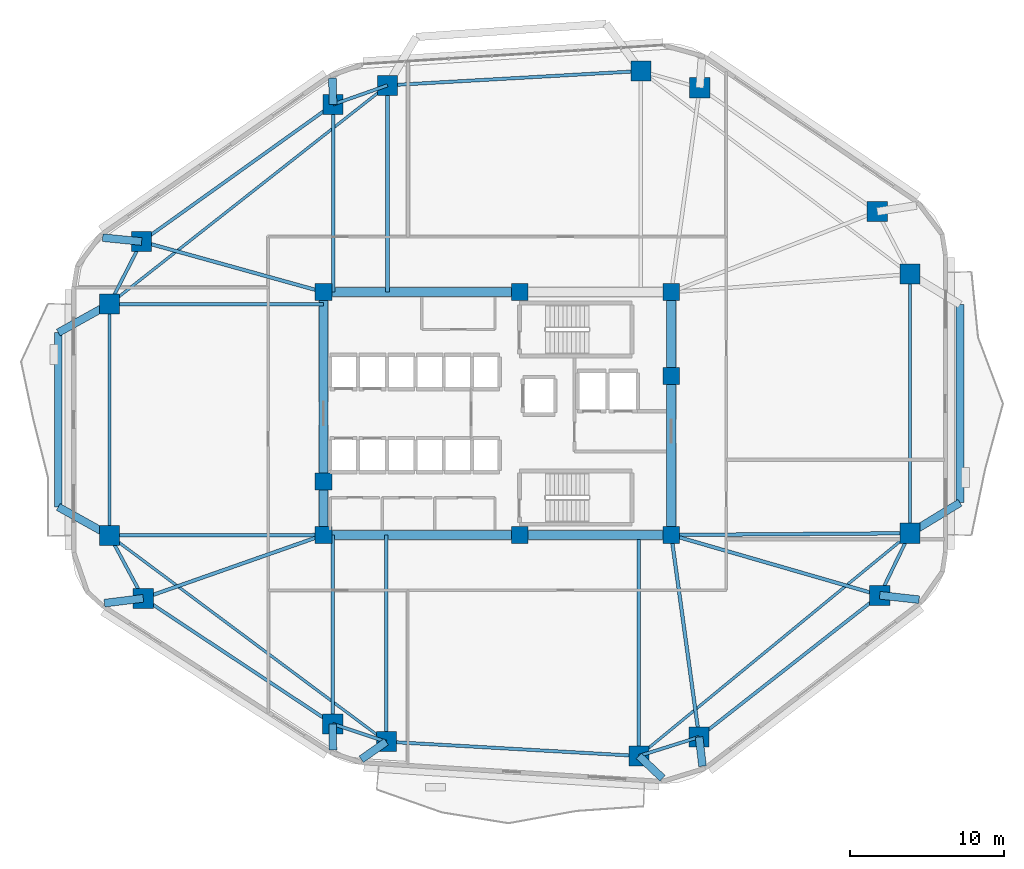
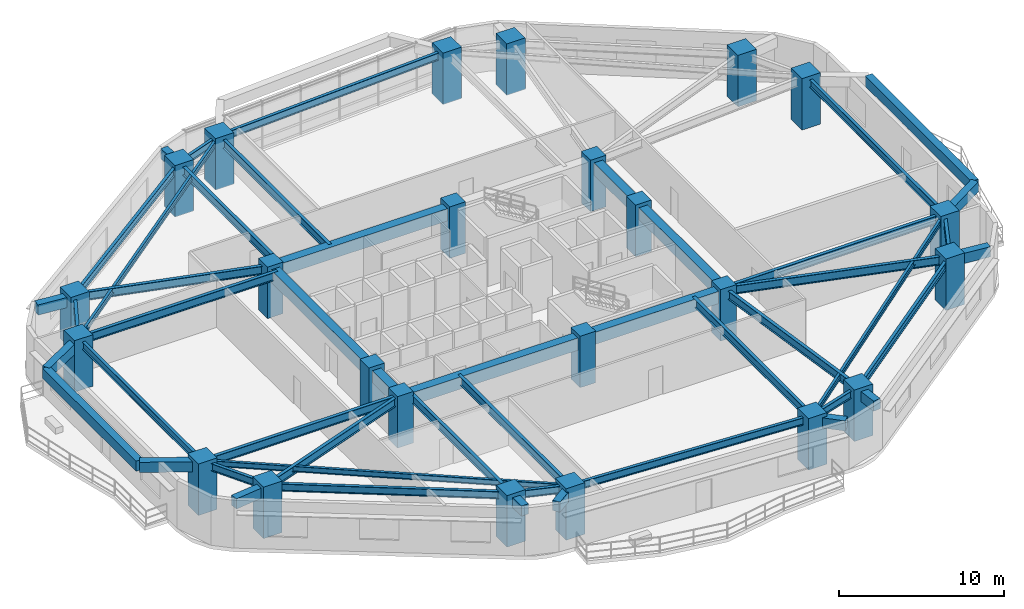
# One storey, part 1 of 11: 48 beams, 24 columns.
"""IFC4 building model written with IfcOpenShell, lengths in metres."""

from ifc_helpers import new_model, si_unit, direction, frame, origin, origin_2d, place, context, subcontext, project, spatial, rectangle, i_section, extrude, material, material_profile, profile_set, type_object, element, save


model = new_model("IFC4")

# Units and contexts
model_context = context("Model", 3, precision=1e-05, world=origin(), true_north=direction((0.0, 1.0)))
body_context = subcontext(model_context, "Body", "Model", "MODEL_VIEW")
ifc_project = project(units=[si_unit("LENGTHUNIT", "METRE"), si_unit("AREAUNIT", "SQUARE_METRE"), si_unit("VOLUMEUNIT", "CUBIC_METRE"), si_unit("PLANEANGLEUNIT", "RADIAN"), si_unit("MASSUNIT", "GRAM", prefix="KILO")], contexts=[model_context])

# Site, building, storey
site_placement = place(None, origin())
site = spatial("IfcSite", under=ifc_project, at=site_placement, CompositionType="ELEMENT")
building_placement = place(site_placement, origin())
building = spatial("IfcBuilding", under=site, at=building_placement, Name="Zulverin Broadcast Headquarters", CompositionType="ELEMENT")
storey_placement = place(building_placement, frame((0.0, 0.0, 78.199951171875)))
storey = spatial("IfcBuildingStorey", under=building, at=storey_placement, Name="L19", CompositionType="ELEMENT", Elevation=78.199951171875)

# Columns
ifc_material_1 = material(Name="Concrete C60/75", Category="concrete")
ifc_material_profile_1 = material_profile(ifc_material_1, rectangle(XDim=1.300048828125, YDim=1.300048828125, at=origin_2d()), Name="Concrete C60/75", Category="concrete")
ifc_profile_set_1 = profile_set([ifc_material_profile_1], Name="Concrete C60/75")
column_type_1 = type_object("IfcColumnType", Name="COL-RC-1300", PredefinedType="COLUMN", material=ifc_profile_set_1)
for number, where, z_axis, x_axis, name in (
    (1, (29.79638671875, 3.922119140625, 0.0), (0.0, 0.0, 1.0), (1.0, 0.0, 0.0), "L19 Perimeter Column T01"),
    (2, (46.175048828125, 2.997802734375, 0.0), (0.0, 0.0, 1.0), (1.0, 0.0, 0.0), "L19 Perimeter Column T02"),
    (3, (50.08056640625, 4.22509765625, 0.0), (0.0, 0.0, 1.0), (1.0, 0.0, 0.0), "L19 Perimeter Column T03"),
    (4, (61.79296875, 13.416259765625, 0.0), (0.0, 0.0, 1.0), (1.0, 0.0, 0.0), "L19 Perimeter Column T04"),
    (5, (63.75, 17.439697265625, 0.0), (0.0, 0.0, 1.0), (1.0, 0.0, 0.0), "L19 Perimeter Column T05"),
    (6, (63.75, 34.235107421875, 0.0), (0.0, 0.0, 1.0), (1.0, 0.0, 0.0), "L19 Perimeter Column T06"),
    (7, (61.630126953125, 38.298583984375, 0.0), (0.0, 0.0, 1.0), (1.0, 0.0, 0.0), "L19 Perimeter Column T07"),
    (8, (50.121826171875, 46.325927734375, 0.0), (0.0, 0.0, 1.0), (1.0, 0.0, 0.0), "L19 Perimeter Column T08"),
    (9, (46.30224609375, 47.4091796875, 0.0), (0.0, 0.0, 1.0), (1.0, 0.0, 0.0), "L19 Perimeter Column T09"),
    (10, (29.873779296875, 46.482177734375, 0.0), (0.0, 0.0, 1.0), (1.0, 0.0, 0.0), "L19 Perimeter Column T10"),
    (11, (26.344482421875, 45.23828125, 0.0), (0.0, 0.0, 1.0), (1.0, 0.0, 0.0), "L19 Perimeter Column T11"),
    (12, (13.934326171875, 36.353759765625, 0.0), (0.0, 0.0, 1.0), (1.0, 0.0, 0.0), "L19 Perimeter Column T12"),
    (13, (11.85009765625, 32.298095703125, 0.0), (0.0, 0.0, 1.0), (1.0, 0.0, 0.0), "L19 Perimeter Column T13"),
    (14, (11.85009765625, 17.297607421875, 0.0), (0.0, 0.0, 1.0), (1.0, 0.0, 0.0), "L19 Perimeter Column T14"),
    (15, (14.0390625, 13.219970703125, 0.0), (0.0, 0.0, 1.0), (1.0, 0.0, 0.0), "L19 Perimeter Column T15"),
    (16, (26.3251953125, 5.075927734375, 0.0), (0.0, 0.0, 1.0), (1.0, 0.0, 0.0), "L19 Perimeter Column T16"),
):
    element("IfcColumn", number, at=place(storey_placement, frame(where, z_axis=z_axis, x_axis=x_axis)), inside=storey, type_object=column_type_1, Name=name, PredefinedType="COLUMN", context=body_context, shape_type="SweptSolid", body=[
        extrude(rectangle(XDim=1.300048828125, YDim=1.300048828125, at=origin_2d()), origin(), (0.0, 0.0, 1.0), 3.800048828125),
    ])
ifc_material_profile_2 = material_profile(ifc_material_1, rectangle(XDim=1.10009765625, YDim=1.10009765625, at=origin_2d()), Name="Concrete C60/75", Category="concrete")
ifc_profile_set_2 = profile_set([ifc_material_profile_2], Name="Concrete C60/75")
column_type_2 = type_object("IfcColumnType", Name="PIL-RC-1100", PredefinedType="PILASTER", material=ifc_profile_set_2)
for number, where, z_axis, x_axis, name in (
    (17, (25.72509765625, 17.324951171875, 0.0), (0.0, 0.0, 1.0), (1.0, 0.0, 0.0), "L19 Core Pilaster K01"),
    (18, (38.449951171875, 17.324951171875, 0.0), (0.0, 0.0, 1.0), (1.0, 0.0, 0.0), "L19 Core Pilaster K02"),
    (19, (48.27490234375, 17.324951171875, 0.0), (0.0, 0.0, 1.0), (1.0, 0.0, 0.0), "L19 Core Pilaster K03"),
    (20, (48.27490234375, 27.6201171875, 0.0), (0.0, 0.0, 1.0), (1.0, 0.0, 0.0), "L19 Core Pilaster K04"),
    (21, (48.27490234375, 33.074951171875, 0.0), (0.0, 0.0, 1.0), (1.0, 0.0, 0.0), "L19 Core Pilaster K05"),
    (22, (38.449951171875, 33.074951171875, 0.0), (0.0, 0.0, 1.0), (1.0, 0.0, 0.0), "L19 Core Pilaster K06"),
    (23, (25.72509765625, 33.074951171875, 0.0), (0.0, 0.0, 1.0), (1.0, 0.0, 0.0), "L19 Core Pilaster K07"),
    (24, (25.72509765625, 20.800048828125, 0.0), (0.0, 0.0, 1.0), (1.0, 0.0, 0.0), "L19 Core Pilaster K08"),
):
    element("IfcColumn", number, at=place(storey_placement, frame(where, z_axis=z_axis, x_axis=x_axis)), inside=storey, type_object=column_type_2, Name=name, PredefinedType="PILASTER", context=body_context, shape_type="SweptSolid", body=[
        extrude(rectangle(XDim=1.10009765625, YDim=1.10009765625, at=origin_2d()), origin(), (0.0, 0.0, 1.0), 3.800048828125),
    ])

# Beams
ifc_material_profile_3 = material_profile(ifc_material_1, rectangle(XDim=0.60009765625, YDim=0.89990234375, at=origin_2d()), Name="Concrete C60/75", Category="concrete")
ifc_profile_set_3 = profile_set([ifc_material_profile_3], Name="Concrete C60/75")
beam_type_1 = type_object("IfcBeamType", Name="BM-CB-600x900", PredefinedType="LINTEL", material=ifc_profile_set_3)
beam_1_placement = place(storey_placement, frame((25.72509765625, 17.324951171875, 3.074951171875), z_axis=(1.0, 0.0, 0.0), x_axis=(0.0, 1.0, 0.0)))
element("IfcBeam", 25, at=beam_1_placement, inside=storey, type_object=beam_type_1, Name="L19 Core Coupling Girder K01-K02", PredefinedType="LINTEL", context=body_context, shape_type="SweptSolid", body=[
    extrude(rectangle(XDim=0.60009765625, YDim=0.89990234375, at=origin_2d()), origin(), (0.0, 0.0, 1.0), 12.724853515625),
])
beam_2_placement = place(storey_placement, frame((38.449951171875, 17.324951171875, 3.074951171875), z_axis=(1.0, 0.0, 0.0), x_axis=(0.0, 1.0, 0.0)))
element("IfcBeam", 26, at=beam_2_placement, inside=storey, type_object=beam_type_1, Name="L19 Core Coupling Girder K02-K03", PredefinedType="LINTEL", context=body_context, shape_type="SweptSolid", body=[
    extrude(rectangle(XDim=0.60009765625, YDim=0.89990234375, at=origin_2d()), origin(), (0.0, 0.0, 1.0), 9.824951171875),
])
beam_3_placement = place(storey_placement, frame((48.27490234375, 17.324951171875, 3.074951171875), z_axis=(0.0, 1.0, 0.0), x_axis=(-1.0, 0.0, 0.0)))
element("IfcBeam", 27, at=beam_3_placement, inside=storey, type_object=beam_type_1, Name="L19 Core Coupling Girder K03-K04", PredefinedType="LINTEL", context=body_context, shape_type="SweptSolid", body=[
    extrude(rectangle(XDim=0.60009765625, YDim=0.89990234375, at=origin_2d()), origin(), (0.0, 0.0, 1.0), 10.295166015625),
])
beam_4_placement = place(storey_placement, frame((48.27490234375, 27.6201171875, 3.074951171875), z_axis=(0.0, 1.0, 0.0), x_axis=(-1.0, 0.0, 0.0)))
element("IfcBeam", 28, at=beam_4_placement, inside=storey, type_object=beam_type_1, Name="L19 Core Coupling Girder K04-K05", PredefinedType="LINTEL", context=body_context, shape_type="SweptSolid", body=[
    extrude(rectangle(XDim=0.60009765625, YDim=0.89990234375, at=origin_2d()), origin(), (0.0, 0.0, 1.0), 5.454833984375),
])
beam_5_placement = place(storey_placement, frame((38.449951171875, 33.074951171875, 3.074951171875), z_axis=(-1.0, 0.0, 0.0), x_axis=(0.0, -1.0, 0.0)))
element("IfcBeam", 29, at=beam_5_placement, inside=storey, type_object=beam_type_1, Name="L19 Core Coupling Girder K06-K07", PredefinedType="LINTEL", context=body_context, shape_type="SweptSolid", body=[
    extrude(rectangle(XDim=0.60009765625, YDim=0.89990234375, at=origin_2d()), origin(), (0.0, 0.0, 1.0), 12.724853515625),
])
beam_6_placement = place(storey_placement, frame((25.72509765625, 33.074951171875, 3.074951171875), z_axis=(0.0, -1.0, 0.0), x_axis=(1.0, 0.0, 0.0)))
element("IfcBeam", 30, at=beam_6_placement, inside=storey, type_object=beam_type_1, Name="L19 Core Coupling Girder K07-K08", PredefinedType="LINTEL", context=body_context, shape_type="SweptSolid", body=[
    extrude(rectangle(XDim=0.60009765625, YDim=0.89990234375, at=origin_2d()), origin(), (0.0, 0.0, 1.0), 12.27490234375),
])
beam_7_placement = place(storey_placement, frame((25.72509765625, 20.800048828125, 3.074951171875), z_axis=(0.0, -1.0, 0.0), x_axis=(1.0, 0.0, 0.0)))
element("IfcBeam", 31, at=beam_7_placement, inside=storey, type_object=beam_type_1, Name="L19 Core Coupling Girder K08-K01", PredefinedType="LINTEL", context=body_context, shape_type="SweptSolid", body=[
    extrude(rectangle(XDim=0.60009765625, YDim=0.89990234375, at=origin_2d()), origin(), (0.0, 0.0, 1.0), 3.47509765625),
])
ifc_material_2 = material(Name="Concrete C40/50", Category="concrete")
ifc_material_profile_4 = material_profile(ifc_material_2, rectangle(XDim=0.5, YDim=0.75, at=origin_2d()), Name="Concrete C40/50", Category="concrete")
ifc_profile_set_4 = profile_set([ifc_material_profile_4], Name="Concrete C40/50")
beam_type_2 = type_object("IfcBeamType", Name="BM-RC-500x750", PredefinedType="BEAM", material=ifc_profile_set_4)
beam_8_placement = place(storey_placement, frame((29.79638671875, 3.922119140625, 3.150146484375), z_axis=(-0.817789251944, -0.575517801119, 0.0), x_axis=(0.575517801119, -0.817789251944, 0.0)))
element("IfcBeam", 32, at=beam_8_placement, inside=storey, type_object=beam_type_2, Name="L20 Plate Overhang Back-Spanned Beam OVR-01", PredefinedType="BEAM", context=body_context, shape_type="SweptSolid", body=[
    extrude(rectangle(XDim=0.5, YDim=0.75, at=origin_2d()), origin(), (0.0, 0.0, 1.0), 1.983154296875),
])
beam_9_placement = place(storey_placement, frame((46.175048828125, 2.997802734375, 3.150146484375), z_axis=(0.727711332613, -0.685883529754, 0.0), x_axis=(0.685883529754, 0.727711332613, 0.0)))
element("IfcBeam", 33, at=beam_9_placement, inside=storey, type_object=beam_type_2, Name="L20 Plate Overhang Back-Spanned Beam OVR-02", PredefinedType="BEAM", context=body_context, shape_type="SweptSolid", body=[
    extrude(rectangle(XDim=0.5, YDim=0.75, at=origin_2d()), origin(), (0.0, 0.0, 1.0), 2.113037109375),
])
beam_10_placement = place(storey_placement, frame((50.08056640625, 4.22509765625, 3.150146484375), z_axis=(0.115916621896, -0.99325894749, 0.0), x_axis=(0.99325894749, 0.115916621896, 0.0)))
element("IfcBeam", 34, at=beam_10_placement, inside=storey, type_object=beam_type_2, Name="L20 Plate Overhang Back-Spanned Beam OVR-03", PredefinedType="BEAM", context=body_context, shape_type="SweptSolid", body=[
    extrude(rectangle(XDim=0.5, YDim=0.75, at=origin_2d()), origin(), (0.0, 0.0, 1.0), 1.899658203125),
])
beam_11_placement = place(storey_placement, frame((61.79296875, 13.416259765625, 3.150146484375), z_axis=(0.993797661948, -0.111203449166, 0.0), x_axis=(0.111203449166, 0.993797661948, 0.0)))
element("IfcBeam", 35, at=beam_11_placement, inside=storey, type_object=beam_type_2, Name="L20 Plate Overhang Back-Spanned Beam OVR-04", PredefinedType="BEAM", context=body_context, shape_type="SweptSolid", body=[
    extrude(rectangle(XDim=0.5, YDim=0.75, at=origin_2d()), origin(), (0.0, 0.0, 1.0), 2.568603515625),
])
beam_12_placement = place(storey_placement, frame((26.344482421875, 45.23828125, 3.150146484375), z_axis=(-0.025024345209, 0.999686842039, 0.0), x_axis=(-0.999686842039, -0.025024345209, 0.0)))
element("IfcBeam", 36, at=beam_12_placement, inside=storey, type_object=beam_type_2, Name="L20 Plate Overhang Back-Spanned Beam OVR-11", PredefinedType="BEAM", context=body_context, shape_type="SweptSolid", body=[
    extrude(rectangle(XDim=0.5, YDim=0.75, at=origin_2d()), origin(), (0.0, 0.0, 1.0), 1.707275390625),
])
beam_13_placement = place(storey_placement, frame((13.934326171875, 36.353759765625, 3.150146484375), z_axis=(-0.995008621602, 0.09978899207, 0.0), x_axis=(-0.09978899207, -0.995008621602, 0.0)))
element("IfcBeam", 37, at=beam_13_placement, inside=storey, type_object=beam_type_2, Name="L20 Plate Overhang Back-Spanned Beam OVR-12", PredefinedType="BEAM", context=body_context, shape_type="SweptSolid", body=[
    extrude(rectangle(XDim=0.5, YDim=0.75, at=origin_2d()), origin(), (0.0, 0.0, 1.0), 2.5419921875),
])
beam_14_placement = place(storey_placement, frame((14.0390625, 13.219970703125, 3.150146484375), z_axis=(-0.992258640565, -0.124188526941, 0.0), x_axis=(0.124188526941, -0.992258640565, 0.0)))
element("IfcBeam", 38, at=beam_14_placement, inside=storey, type_object=beam_type_2, Name="L20 Plate Overhang Back-Spanned Beam OVR-15", PredefinedType="BEAM", context=body_context, shape_type="SweptSolid", body=[
    extrude(rectangle(XDim=0.5, YDim=0.75, at=origin_2d()), origin(), (0.0, 0.0, 1.0), 2.5400390625),
])
beam_15_placement = place(storey_placement, frame((26.3251953125, 5.075927734375, 3.150146484375), z_axis=(0.006204786761, -0.999980750125, 0.0), x_axis=(0.999980750125, 0.006204786761, 0.0)))
element("IfcBeam", 39, at=beam_15_placement, inside=storey, type_object=beam_type_2, Name="L20 Plate Overhang Back-Spanned Beam OVR-16", PredefinedType="BEAM", context=body_context, shape_type="SweptSolid", body=[
    extrude(rectangle(XDim=0.5, YDim=0.75, at=origin_2d()), origin(), (0.0, 0.0, 1.0), 1.69189453125),
])
beam_16_placement = place(storey_placement, frame((63.75, 17.439697265625, 3.150146484375), z_axis=(0.853769010652, 0.520651972483, 0.0), x_axis=(-0.520651972483, 0.853769010652, 0.0)))
element("IfcBeam", 40, at=beam_16_placement, inside=storey, type_object=beam_type_2, Name="L20 Balcony Column-Framed Cantilever BAL_E-1", PredefinedType="BEAM", context=body_context, shape_type="SweptSolid", body=[
    extrude(rectangle(XDim=0.5, YDim=0.75, at=origin_2d()), origin(), (0.0, 0.0, 1.0), 3.800048828125),
])
beam_17_placement = place(storey_placement, frame((66.994384765625, 19.418212890625, 3.150146484375), z_axis=(0.000531985561, 0.999999858496, 0.0), x_axis=(-0.999999858496, 0.000531985561, 0.0)))
element("IfcBeam", 41, at=beam_17_placement, inside=storey, type_object=beam_type_2, Name="L20 Balcony Outer Edge Trimmer Beam BAL_E", PredefinedType="BEAM", context=body_context, shape_type="SweptSolid", body=[
    extrude(rectangle(XDim=0.5, YDim=0.75, at=origin_2d()), origin(), (0.0, 0.0, 1.0), 12.849853515625),
])
beam_18_placement = place(storey_placement, frame((11.85009765625, 32.298095703125, 3.150146484375), z_axis=(-0.873763019306, -0.486351915893, 0.0), x_axis=(0.486351915893, -0.873763019306, 0.0)))
element("IfcBeam", 42, at=beam_18_placement, inside=storey, type_object=beam_type_2, Name="L20 Balcony Column-Framed Cantilever BAL_W-1", PredefinedType="BEAM", context=body_context, shape_type="SweptSolid", body=[
    extrude(rectangle(XDim=0.5, YDim=0.75, at=origin_2d()), origin(), (0.0, 0.0, 1.0), 3.800048828125),
])
beam_19_placement = place(storey_placement, frame((11.85009765625, 17.297607421875, 3.150146484375), z_axis=(-0.874363278793, 0.485271940975, 0.0), x_axis=(-0.485271940975, -0.874363278793, 0.0)))
element("IfcBeam", 43, at=beam_19_placement, inside=storey, type_object=beam_type_2, Name="L20 Balcony Column-Framed Cantilever BAL_W-2", PredefinedType="BEAM", context=body_context, shape_type="SweptSolid", body=[
    extrude(rectangle(XDim=0.5, YDim=0.75, at=origin_2d()), origin(), (0.0, 0.0, 1.0), 3.7998046875),
])
beam_20_placement = place(storey_placement, frame((8.52978515625, 30.449951171875, 3.150146484375), z_axis=(-0.000194304709, -0.999999981123, 0.0), x_axis=(0.999999981123, -0.000194304709, 0.0)))
element("IfcBeam", 44, at=beam_20_placement, inside=storey, type_object=beam_type_2, Name="L20 Balcony Outer Edge Trimmer Beam BAL_W", PredefinedType="BEAM", context=body_context, shape_type="SweptSolid", body=[
    extrude(rectangle(XDim=0.5, YDim=0.75, at=origin_2d()), origin(), (0.0, 0.0, 1.0), 11.308349609375),
])
ifc_material_3 = material(Name="Structural steel S355JR", Category="steel")
ifc_material_profile_5 = material_profile(ifc_material_3, i_section(OverallWidth=0.179443359375, OverallDepth=0.412841796875, WebThickness=0.009521484375, FlangeThickness=0.01611328125, at=origin_2d()), Name="Structural steel S355JR", Category="steel")
ifc_profile_set_5 = profile_set([ifc_material_profile_5], Name="Structural steel S355JR")
beam_type_3 = type_object("IfcBeamType", Name="BM-UB-406", PredefinedType="JOIST", material=ifc_profile_set_5)
beam_21_placement = place(storey_placement, frame((46.175048828125, 2.997802734375, 3.318603515625), z_axis=(0.772611370623, 0.634879256224, 0.0), x_axis=(-0.634879256224, 0.772611370623, 0.0)))
element("IfcBeam", 45, at=beam_21_placement, inside=storey, type_object=beam_type_3, Name="L19 Chordal Floor Joist J-01", PredefinedType="JOIST", context=body_context, shape_type="SweptSolid", body=[
    extrude(i_section(OverallWidth=0.179443359375, OverallDepth=0.412841796875, WebThickness=0.009521484375, FlangeThickness=0.01611328125, at=origin_2d()), origin(), (0.0, 0.0, 1.0), 22.74755859375),
])
beam_22_placement = place(storey_placement, frame((29.873779296875, 46.482177734375, 3.318603515625), z_axis=(-0.78583902739, -0.618431098047, 0.0), x_axis=(0.618431098047, -0.78583902739, 0.0)))
element("IfcBeam", 46, at=beam_22_placement, inside=storey, type_object=beam_type_3, Name="L19 Chordal Floor Joist J-03", PredefinedType="JOIST", context=body_context, shape_type="SweptSolid", body=[
    extrude(i_section(OverallWidth=0.179443359375, OverallDepth=0.412841796875, WebThickness=0.009521484375, FlangeThickness=0.01611328125, at=origin_2d()), origin(), (0.0, 0.0, 1.0), 22.935546875),
])
beam_23_placement = place(storey_placement, frame((11.85009765625, 17.297607421875, 3.318603515625), z_axis=(0.801802688634, -0.59758886243, 0.0), x_axis=(0.59758886243, 0.801802688634, 0.0)))
element("IfcBeam", 47, at=beam_23_placement, inside=storey, type_object=beam_type_3, Name="L19 Chordal Floor Joist J-04", PredefinedType="JOIST", context=body_context, shape_type="SweptSolid", body=[
    extrude(i_section(OverallWidth=0.179443359375, OverallDepth=0.412841796875, WebThickness=0.009521484375, FlangeThickness=0.01611328125, at=origin_2d()), origin(), (0.0, 0.0, 1.0), 22.38232421875),
])
ifc_material_profile_6 = material_profile(ifc_material_3, i_section(OverallWidth=0.2119140625, OverallDepth=0.54443359375, WebThickness=0.0126953125, FlangeThickness=0.021240234375, at=origin_2d()), Name="Structural steel S355JR", Category="steel")
ifc_profile_set_6 = profile_set([ifc_material_profile_6], Name="Structural steel S355JR")
beam_type_4 = type_object("IfcBeamType", Name="BM-UB-533", PredefinedType="SPANDREL", material=ifc_profile_set_6)
beam_24_placement = place(storey_placement, frame((29.79638671875, 3.922119140625, 3.252685546875), z_axis=(0.998411385104, -0.056344530297, 0.0), x_axis=(0.056344530297, 0.998411385104, 0.0)))
element("IfcBeam", 48, at=beam_24_placement, inside=storey, type_object=beam_type_4, Name="L19 Perimeter Spandrel Beam SP-01", PredefinedType="SPANDREL", context=body_context, shape_type="SweptSolid", body=[
    extrude(i_section(OverallWidth=0.2119140625, OverallDepth=0.54443359375, WebThickness=0.0126953125, FlangeThickness=0.021240234375, at=origin_2d()), origin(), (0.0, 0.0, 1.0), 16.40478515625),
])
beam_25_placement = place(storey_placement, frame((46.175048828125, 2.997802734375, 3.252685546875), z_axis=(0.954004438448, 0.299792480595, 0.0), x_axis=(-0.299792480595, 0.954004438448, 0.0)))
element("IfcBeam", 49, at=beam_25_placement, inside=storey, type_object=beam_type_4, Name="L19 Perimeter Spandrel Beam SP-02", PredefinedType="SPANDREL", context=body_context, shape_type="SweptSolid", body=[
    extrude(i_section(OverallWidth=0.2119140625, OverallDepth=0.54443359375, WebThickness=0.0126953125, FlangeThickness=0.021240234375, at=origin_2d()), origin(), (0.0, 0.0, 1.0), 4.09375),
])
beam_26_placement = place(storey_placement, frame((50.08056640625, 4.22509765625, 3.252685546875), z_axis=(0.786691476208, 0.617346354376, 0.0), x_axis=(-0.617346354376, 0.786691476208, 0.0)))
element("IfcBeam", 50, at=beam_26_placement, inside=storey, type_object=beam_type_4, Name="L19 Perimeter Spandrel Beam SP-03", PredefinedType="SPANDREL", context=body_context, shape_type="SweptSolid", body=[
    extrude(i_section(OverallWidth=0.2119140625, OverallDepth=0.54443359375, WebThickness=0.0126953125, FlangeThickness=0.021240234375, at=origin_2d()), origin(), (0.0, 0.0, 1.0), 14.88818359375),
])
beam_27_placement = place(storey_placement, frame((61.79296875, 13.416259765625, 3.252685546875), z_axis=(0.437408475872, 0.899262934428, 0.0), x_axis=(-0.899262934428, 0.437408475872, 0.0)))
element("IfcBeam", 51, at=beam_27_placement, inside=storey, type_object=beam_type_4, Name="L19 Perimeter Spandrel Beam SP-04", PredefinedType="SPANDREL", context=body_context, shape_type="SweptSolid", body=[
    extrude(i_section(OverallWidth=0.2119140625, OverallDepth=0.54443359375, WebThickness=0.0126953125, FlangeThickness=0.021240234375, at=origin_2d()), origin(), (0.0, 0.0, 1.0), 4.47412109375),
])
beam_28_placement = place(storey_placement, frame((63.75, 17.439697265625, 3.252685546875), z_axis=(0.0, 1.0, 0.0), x_axis=(-1.0, 0.0, 0.0)))
element("IfcBeam", 52, at=beam_28_placement, inside=storey, type_object=beam_type_4, Name="L19 Perimeter Spandrel Beam SP-05", PredefinedType="SPANDREL", context=body_context, shape_type="SweptSolid", body=[
    extrude(i_section(OverallWidth=0.2119140625, OverallDepth=0.54443359375, WebThickness=0.0126953125, FlangeThickness=0.021240234375, at=origin_2d()), origin(), (0.0, 0.0, 1.0), 16.79541015625),
])
beam_29_placement = place(storey_placement, frame((46.30224609375, 47.4091796875, 3.252685546875), z_axis=(-0.998411812904, -0.056336949274, 0.0), x_axis=(0.056336949274, -0.998411812904, 0.0)))
element("IfcBeam", 53, at=beam_29_placement, inside=storey, type_object=beam_type_4, Name="L19 Perimeter Spandrel Beam SP-09", PredefinedType="SPANDREL", context=body_context, shape_type="SweptSolid", body=[
    extrude(i_section(OverallWidth=0.2119140625, OverallDepth=0.54443359375, WebThickness=0.0126953125, FlangeThickness=0.021240234375, at=origin_2d()), origin(), (0.0, 0.0, 1.0), 16.45458984375),
])
beam_30_placement = place(storey_placement, frame((29.873779296875, 46.482177734375, 3.252685546875), z_axis=(-0.943135983398, -0.332407155189, 0.0), x_axis=(0.332407155189, -0.943135983398, 0.0)))
element("IfcBeam", 54, at=beam_30_placement, inside=storey, type_object=beam_type_4, Name="L19 Perimeter Spandrel Beam SP-10", PredefinedType="SPANDREL", context=body_context, shape_type="SweptSolid", body=[
    extrude(i_section(OverallWidth=0.2119140625, OverallDepth=0.54443359375, WebThickness=0.0126953125, FlangeThickness=0.021240234375, at=origin_2d()), origin(), (0.0, 0.0, 1.0), 3.7421875),
])
beam_31_placement = place(storey_placement, frame((26.344482421875, 45.23828125, 3.252685546875), z_axis=(-0.813109374453, -0.582110938891, 0.0), x_axis=(0.582110938891, -0.813109374453, 0.0)))
element("IfcBeam", 55, at=beam_31_placement, inside=storey, type_object=beam_type_4, Name="L19 Perimeter Spandrel Beam SP-11", PredefinedType="SPANDREL", context=body_context, shape_type="SweptSolid", body=[
    extrude(i_section(OverallWidth=0.2119140625, OverallDepth=0.54443359375, WebThickness=0.0126953125, FlangeThickness=0.021240234375, at=origin_2d()), origin(), (0.0, 0.0, 1.0), 15.2626953125),
])
beam_32_placement = place(storey_placement, frame((13.934326171875, 36.353759765625, 3.252685546875), z_axis=(-0.457080631948, -0.889425261558, 0.0), x_axis=(0.889425261558, -0.457080631948, 0.0)))
element("IfcBeam", 56, at=beam_32_placement, inside=storey, type_object=beam_type_4, Name="L19 Perimeter Spandrel Beam SP-12", PredefinedType="SPANDREL", context=body_context, shape_type="SweptSolid", body=[
    extrude(i_section(OverallWidth=0.2119140625, OverallDepth=0.54443359375, WebThickness=0.0126953125, FlangeThickness=0.021240234375, at=origin_2d()), origin(), (0.0, 0.0, 1.0), 4.559814453125),
])
beam_33_placement = place(storey_placement, frame((11.85009765625, 32.298095703125, 3.252685546875), z_axis=(0.0, -1.0, 0.0), x_axis=(1.0, 0.0, 0.0)))
element("IfcBeam", 57, at=beam_33_placement, inside=storey, type_object=beam_type_4, Name="L19 Perimeter Spandrel Beam SP-13", PredefinedType="SPANDREL", context=body_context, shape_type="SweptSolid", body=[
    extrude(i_section(OverallWidth=0.2119140625, OverallDepth=0.54443359375, WebThickness=0.0126953125, FlangeThickness=0.021240234375, at=origin_2d()), origin(), (0.0, 0.0, 1.0), 15.00048828125),
])
beam_34_placement = place(storey_placement, frame((11.85009765625, 17.297607421875, 3.252685546875), z_axis=(0.472979536362, -0.881073412482, 0.0), x_axis=(0.881073412482, 0.472979536362, 0.0)))
element("IfcBeam", 58, at=beam_34_placement, inside=storey, type_object=beam_type_4, Name="L19 Perimeter Spandrel Beam SP-14", PredefinedType="SPANDREL", context=body_context, shape_type="SweptSolid", body=[
    extrude(i_section(OverallWidth=0.2119140625, OverallDepth=0.54443359375, WebThickness=0.0126953125, FlangeThickness=0.021240234375, at=origin_2d()), origin(), (0.0, 0.0, 1.0), 4.6279296875),
])
beam_35_placement = place(storey_placement, frame((14.0390625, 13.219970703125, 3.252685546875), z_axis=(0.833510030956, -0.552504324232, 0.0), x_axis=(0.552504324232, 0.833510030956, 0.0)))
element("IfcBeam", 59, at=beam_35_placement, inside=storey, type_object=beam_type_4, Name="L19 Perimeter Spandrel Beam SP-15", PredefinedType="SPANDREL", context=body_context, shape_type="SweptSolid", body=[
    extrude(i_section(OverallWidth=0.2119140625, OverallDepth=0.54443359375, WebThickness=0.0126953125, FlangeThickness=0.021240234375, at=origin_2d()), origin(), (0.0, 0.0, 1.0), 14.740234375),
])
beam_36_placement = place(storey_placement, frame((26.3251953125, 5.075927734375, 3.252685546875), z_axis=(0.948949931395, -0.315426739047, 0.0), x_axis=(0.315426739047, 0.948949931395, 0.0)))
element("IfcBeam", 60, at=beam_36_placement, inside=storey, type_object=beam_type_4, Name="L19 Perimeter Spandrel Beam SP-16", PredefinedType="SPANDREL", context=body_context, shape_type="SweptSolid", body=[
    extrude(i_section(OverallWidth=0.2119140625, OverallDepth=0.54443359375, WebThickness=0.0126953125, FlangeThickness=0.021240234375, at=origin_2d()), origin(), (0.0, 0.0, 1.0), 3.657958984375),
])
ifc_material_profile_7 = material_profile(ifc_material_3, i_section(OverallWidth=0.230224609375, OverallDepth=0.6171875, WebThickness=0.01318359375, FlangeThickness=0.022216796875, at=origin_2d()), Name="Structural steel S355JR", Category="steel")
ifc_profile_set_7 = profile_set([ifc_material_profile_7], Name="Structural steel S355JR")
beam_type_5 = type_object("IfcBeamType", Name="BM-UB-610", PredefinedType="BEAM", material=ifc_profile_set_7)
beam_37_placement = place(storey_placement, frame((29.79638671875, 17.324951171875, 3.216552734375), z_axis=(0.0, -1.0, 0.0), x_axis=(1.0, 0.0, 0.0)))
element("IfcBeam", 61, at=beam_37_placement, inside=storey, type_object=beam_type_5, Name="L19 Radial Primary Floor Beam RB-01", PredefinedType="BEAM", context=body_context, shape_type="SweptSolid", body=[
    extrude(i_section(OverallWidth=0.230224609375, OverallDepth=0.6171875, WebThickness=0.01318359375, FlangeThickness=0.022216796875, at=origin_2d()), origin(), (0.0, 0.0, 1.0), 13.40283203125),
])
beam_38_placement = place(storey_placement, frame((46.175048828125, 17.324951171875, 3.216552734375), z_axis=(0.0, -1.0, 0.0), x_axis=(1.0, 0.0, 0.0)))
element("IfcBeam", 62, at=beam_38_placement, inside=storey, type_object=beam_type_5, Name="L19 Radial Primary Floor Beam RB-02", PredefinedType="BEAM", context=body_context, shape_type="SweptSolid", body=[
    extrude(i_section(OverallWidth=0.230224609375, OverallDepth=0.6171875, WebThickness=0.01318359375, FlangeThickness=0.022216796875, at=origin_2d()), origin(), (0.0, 0.0, 1.0), 14.3271484375),
])
beam_39_placement = place(storey_placement, frame((48.27490234375, 17.324951171875, 3.216552734375), z_axis=(0.136547433081, -0.990633533916, 0.0), x_axis=(0.990633533916, 0.136547433081, 0.0)))
element("IfcBeam", 63, at=beam_39_placement, inside=storey, type_object=beam_type_5, Name="L19 Radial Primary Floor Beam RB-03", PredefinedType="BEAM", context=body_context, shape_type="SweptSolid", body=[
    extrude(i_section(OverallWidth=0.230224609375, OverallDepth=0.6171875, WebThickness=0.01318359375, FlangeThickness=0.022216796875, at=origin_2d()), origin(), (0.0, 0.0, 1.0), 13.2236328125),
])
beam_40_placement = place(storey_placement, frame((48.27490234375, 17.324951171875, 3.216552734375), z_axis=(0.960648363311, -0.277767388416, 0.0), x_axis=(0.277767388416, 0.960648363311, 0.0)))
element("IfcBeam", 64, at=beam_40_placement, inside=storey, type_object=beam_type_5, Name="L19 Radial Primary Floor Beam RB-04", PredefinedType="BEAM", context=body_context, shape_type="SweptSolid", body=[
    extrude(i_section(OverallWidth=0.230224609375, OverallDepth=0.6171875, WebThickness=0.01318359375, FlangeThickness=0.022216796875, at=origin_2d()), origin(), (0.0, 0.0, 1.0), 14.07177734375),
])
beam_41_placement = place(storey_placement, frame((48.27490234375, 17.324951171875, 3.216552734375), z_axis=(0.999972510862, 0.007414682739, 0.0), x_axis=(-0.007414682739, 0.999972510862, 0.0)))
element("IfcBeam", 65, at=beam_41_placement, inside=storey, type_object=beam_type_5, Name="L19 Radial Primary Floor Beam RB-05", PredefinedType="BEAM", context=body_context, shape_type="SweptSolid", body=[
    extrude(i_section(OverallWidth=0.230224609375, OverallDepth=0.6171875, WebThickness=0.01318359375, FlangeThickness=0.022216796875, at=origin_2d()), origin(), (0.0, 0.0, 1.0), 15.4755859375),
])
beam_42_placement = place(storey_placement, frame((29.873779296875, 33.074951171875, 3.216552734375), z_axis=(0.0, 1.0, 0.0), x_axis=(-1.0, 0.0, 0.0)))
element("IfcBeam", 66, at=beam_42_placement, inside=storey, type_object=beam_type_5, Name="L19 Radial Primary Floor Beam RB-10", PredefinedType="BEAM", context=body_context, shape_type="SweptSolid", body=[
    extrude(i_section(OverallWidth=0.230224609375, OverallDepth=0.6171875, WebThickness=0.01318359375, FlangeThickness=0.022216796875, at=origin_2d()), origin(), (0.0, 0.0, 1.0), 13.4072265625),
])
beam_43_placement = place(storey_placement, frame((26.344482421875, 33.074951171875, 3.216552734375), z_axis=(0.0, 1.0, 0.0), x_axis=(-1.0, 0.0, 0.0)))
element("IfcBeam", 67, at=beam_43_placement, inside=storey, type_object=beam_type_5, Name="L19 Radial Primary Floor Beam RB-11", PredefinedType="BEAM", context=body_context, shape_type="SweptSolid", body=[
    extrude(i_section(OverallWidth=0.230224609375, OverallDepth=0.6171875, WebThickness=0.01318359375, FlangeThickness=0.022216796875, at=origin_2d()), origin(), (0.0, 0.0, 1.0), 12.163330078125),
])
beam_44_placement = place(storey_placement, frame((25.72509765625, 33.074951171875, 3.216552734375), z_axis=(-0.963442133037, 0.267916509922, 0.0), x_axis=(-0.267916509922, -0.963442133037, 0.0)))
element("IfcBeam", 68, at=beam_44_placement, inside=storey, type_object=beam_type_5, Name="L19 Radial Primary Floor Beam RB-12", PredefinedType="BEAM", context=body_context, shape_type="SweptSolid", body=[
    extrude(i_section(OverallWidth=0.230224609375, OverallDepth=0.6171875, WebThickness=0.01318359375, FlangeThickness=0.022216796875, at=origin_2d()), origin(), (0.0, 0.0, 1.0), 12.23828125),
])
for number, where, z_axis, x_axis, name in (
    (69, (25.72509765625, 32.298095703125, 3.216552734375), (-1.0, 0.0, 0.0), (0.0, -1.0, 0.0), "L19 Radial Primary Floor Beam RB-13"),
    (70, (25.72509765625, 17.324951171875, 3.216552734375), (-0.999998058136, -0.001970716894, 0.0), (0.001970716894, -0.999998058136, 0.0), "L19 Radial Primary Floor Beam RB-14"),
):
    element("IfcBeam", number, at=place(storey_placement, frame(where, z_axis=z_axis, x_axis=x_axis)), inside=storey, type_object=beam_type_5, Name=name, PredefinedType="BEAM", context=body_context, shape_type="SweptSolid", body=[
        extrude(i_section(OverallWidth=0.230224609375, OverallDepth=0.6171875, WebThickness=0.01318359375, FlangeThickness=0.022216796875, at=origin_2d()), origin(), (0.0, 0.0, 1.0), 13.875),
    ])
beam_45_placement = place(storey_placement, frame((25.72509765625, 17.324951171875, 3.216552734375), z_axis=(-0.943483462345, -0.331419607569, 0.0), x_axis=(0.331419607569, -0.943483462345, 0.0)))
element("IfcBeam", 71, at=beam_45_placement, inside=storey, type_object=beam_type_5, Name="L19 Radial Primary Floor Beam RB-15", PredefinedType="BEAM", context=body_context, shape_type="SweptSolid", body=[
    extrude(i_section(OverallWidth=0.230224609375, OverallDepth=0.6171875, WebThickness=0.01318359375, FlangeThickness=0.022216796875, at=origin_2d()), origin(), (0.0, 0.0, 1.0), 12.385986328125),
])
beam_46_placement = place(storey_placement, frame((26.3251953125, 17.324951171875, 3.216552734375), z_axis=(0.0, -1.0, 0.0), x_axis=(1.0, 0.0, 0.0)))
element("IfcBeam", 72, at=beam_46_placement, inside=storey, type_object=beam_type_5, Name="L19 Radial Primary Floor Beam RB-16", PredefinedType="BEAM", context=body_context, shape_type="SweptSolid", body=[
    extrude(i_section(OverallWidth=0.230224609375, OverallDepth=0.6171875, WebThickness=0.01318359375, FlangeThickness=0.022216796875, at=origin_2d()), origin(), (0.0, 0.0, 1.0), 12.2490234375),
])

save(model, "model.ifc")
